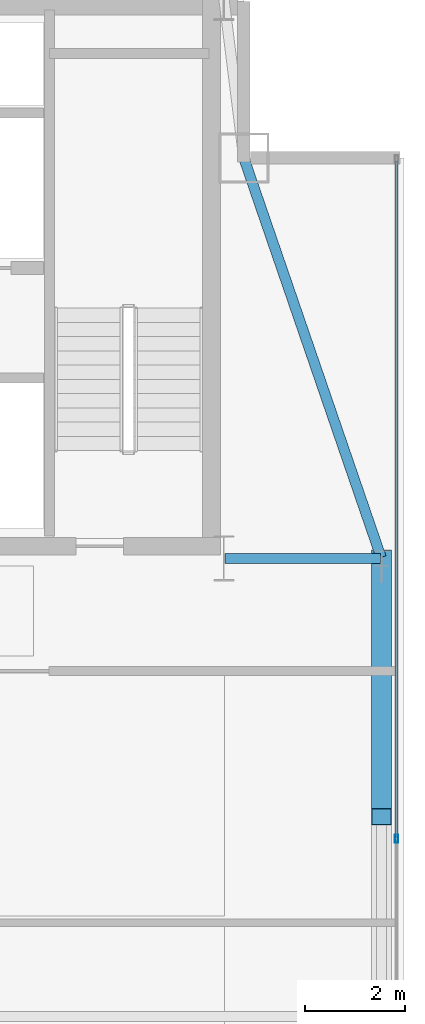
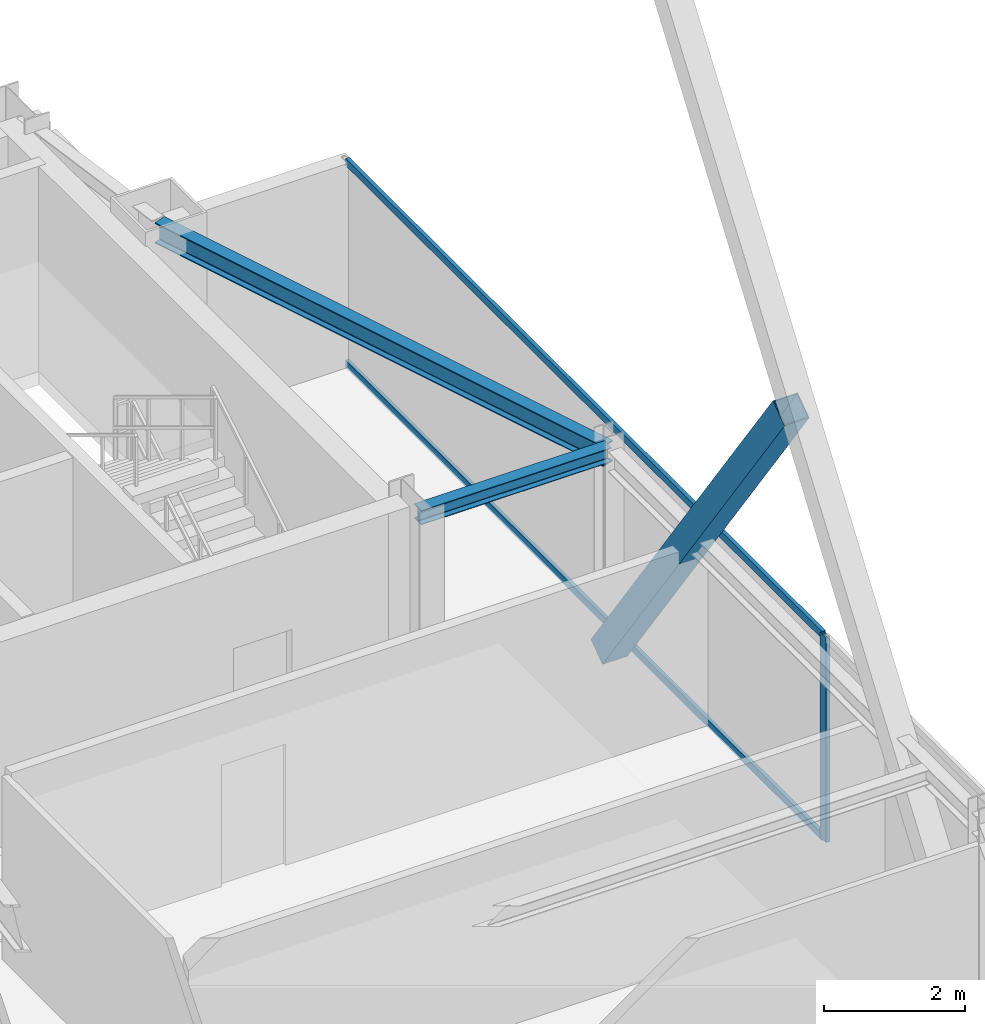
# One storey, part 14 of 25: 4 members, 2 beams, 1 element without a shape of its own.
"""IFC4 building model written with IfcOpenShell, lengths in metres."""

import ifcopenshell
import ifcopenshell.guid

model = None  # the IFC model being written
_history = None  # IfcOwnerHistory: only IFC2X3 demands one
_inside = {}  # id of a spatial element -> (the spatial element, [elements in it])
_under = {}  # id of a project, library or spatial element -> (it, [spatial elements below it])
_declared = {}  # id of a project -> (the project, [libraries it declares])
_typed = {}  # id of a type object -> (the type object, [elements of that type])
_made_of = {}  # id of a material, layer set ... -> (it, [elements and type objects made of it])


def new_model(schema):
    """Start an empty IFC model of exactly this schema.

    Asked for "IFC4X3", IfcOpenShell would pick the latest addendum, in which some entities
    have other attributes; the version numbers below select the first issue.
    IFC2X3 requires an IfcOwnerHistory on every rooted entity: one is made here for all.
    """
    global model, _history
    if schema == "IFC4X3":
        model = ifcopenshell.file(schema_version=(4, 3, 0, 0))
    else:
        model = ifcopenshell.file(schema=schema)
    _inside.clear()
    _under.clear()
    _declared.clear()
    _typed.clear()
    _made_of.clear()
    _history = None
    if model.schema == "IFC2X3":
        org = make("IfcOrganization", Name="unknown")
        user = make(
            "IfcPersonAndOrganization",
            ThePerson=make("IfcPerson", FamilyName="unknown"),
            TheOrganization=org,
        )
        app = make(
            "IfcApplication",
            ApplicationDeveloper=org,
            Version="unknown",
            ApplicationFullName="unknown",
            ApplicationIdentifier="unknown",
        )
        _history = make(
            "IfcOwnerHistory",
            OwningUser=user,
            OwningApplication=app,
            ChangeAction="ADDED",
            CreationDate=0,
        )
    return model


def make(cls, **values):
    """One entity of the class cls with the attributes given. An attribute that is None is left unset."""
    return model.create_entity(
        cls, **{name: value for name, value in values.items() if value is not None}
    )


def rooted(cls, **values):
    """An entity with a GlobalId (a new one), such as an element, a storey or a relation."""
    return make(cls, GlobalId=ifcopenshell.guid.new(), OwnerHistory=_history, **values)


def si_unit(unit_type, name, prefix=None):
    """IfcSIUnit, for example si_unit("LENGTHUNIT", "METRE", prefix="MILLI")."""
    return make("IfcSIUnit", UnitType=unit_type, Prefix=prefix, Name=name)


def assignment(units):
    """IfcUnitAssignment: the units of a project."""
    return None if units is None else make("IfcUnitAssignment", Units=units)


def point(xyz):
    """IfcCartesianPoint."""
    return None if xyz is None else make("IfcCartesianPoint", Coordinates=xyz)


def direction(xyz):
    """IfcDirection."""
    return None if xyz is None else make("IfcDirection", DirectionRatios=xyz)


def frame(location, z_axis=None, x_axis=None):
    """IfcAxis2Placement3D, a coordinate frame: its origin and axes. An axis left out is left unset."""
    return make(
        "IfcAxis2Placement3D",
        Location=point(location),
        Axis=direction(z_axis),
        RefDirection=direction(x_axis),
    )


def frame_2d(location, x_axis=None):
    """IfcAxis2Placement2D, a coordinate frame in the plane: its origin and x axis."""
    return make(
        "IfcAxis2Placement2D", Location=point(location), RefDirection=direction(x_axis)
    )


def origin():
    """The frame at (0, 0, 0) with its axes left unset."""
    return frame((0.0, 0.0, 0.0))


def origin_2d():
    """The frame at (0, 0) in the plane with its x axis left unset."""
    return frame_2d((0.0, 0.0))


def place(relative_to, where):
    """IfcLocalPlacement: puts the frame where relative to a parent placement (None: the world)."""
    return make(
        "IfcLocalPlacement", PlacementRelTo=relative_to, RelativePlacement=where
    )


def context(
    kind, dimensions, precision=None, world=None, true_north=None, identifier=None
):
    """IfcGeometricRepresentationContext, for example the 3D "Model" context."""
    return make(
        "IfcGeometricRepresentationContext",
        ContextIdentifier=identifier,
        ContextType=kind,
        CoordinateSpaceDimension=dimensions,
        Precision=precision,
        WorldCoordinateSystem=world,
        TrueNorth=true_north,
    )


def subcontext(parent, identifier, kind, view, scale=None):
    """IfcGeometricRepresentationSubContext, for example "Body" below "Model"."""
    return make(
        "IfcGeometricRepresentationSubContext",
        ContextIdentifier=identifier,
        ContextType=kind,
        ParentContext=parent,
        TargetScale=scale,
        TargetView=view,
    )


def project(units=None, contexts=None):
    """IfcProject with its units and contexts."""
    return rooted(
        "IfcProject",
        Name="project",
        RepresentationContexts=contexts,
        UnitsInContext=assignment(units),
    )


def spatial(cls, under=None, at=None, **own):
    """A site, building, storey or space (cls), placed at a placement, below another one or the project."""
    s = rooted(cls, ObjectPlacement=at, **own)
    if under is not None:
        _under.setdefault(under.id(), (under, []))[1].append(s)
    return s


def profile(cls, at=None, kind="AREA", **sizes):
    """A parametric profile (cls). Its sizes go by their IFC names, for example OverallWidth=200.0."""
    return make(cls, ProfileType=kind, Position=at, **sizes)


def hollow_rectangle(**sizes):
    """IfcRectangleHollowProfileDef."""
    return profile("IfcRectangleHollowProfileDef", **sizes)


def i_section(**sizes):
    """IfcIShapeProfileDef."""
    return profile("IfcIShapeProfileDef", **sizes)


def extrude(swept, where, along, depth):
    """IfcExtrudedAreaSolid: the profile swept, set in the frame where, extruded along a direction by depth."""
    return make(
        "IfcExtrudedAreaSolid",
        SweptArea=swept,
        Position=where,
        ExtrudedDirection=direction(along),
        Depth=depth,
    )


def shape(context_of_items, identifier, shape_type, items):
    """IfcShapeRepresentation: the items that make up one representation, for example the "Body"."""
    return make(
        "IfcShapeRepresentation",
        ContextOfItems=context_of_items,
        RepresentationIdentifier=identifier,
        RepresentationType=shape_type,
        Items=items,
    )


def source(mapping_origin, context_of_items, identifier, shape_type, items):
    """IfcRepresentationMap: a shape defined once, which mapped items show again and again."""
    return make(
        "IfcRepresentationMap",
        MappingOrigin=mapping_origin,
        MappedRepresentation=shape(context_of_items, identifier, shape_type, items),
    )


def transform(
    local_origin,
    x_axis=None,
    y_axis=None,
    z_axis=None,
    scale=None,
    scale2=None,
    scale3=None,
    uniform=True,
):
    """IfcCartesianTransformationOperator3D, or its non-uniform kind. x_axis, y_axis, z_axis: its Axis1, 2, 3."""
    if uniform:
        return make(
            "IfcCartesianTransformationOperator3D",
            Axis1=direction(x_axis),
            Axis2=direction(y_axis),
            LocalOrigin=point(local_origin),
            Scale=scale,
            Axis3=direction(z_axis),
        )
    return make(
        "IfcCartesianTransformationOperator3DnonUniform",
        Axis1=direction(x_axis),
        Axis2=direction(y_axis),
        LocalOrigin=point(local_origin),
        Scale=scale,
        Axis3=direction(z_axis),
        Scale2=scale2,
        Scale3=scale3,
    )


def mapped(mapping_source, mapping_target):
    """IfcMappedItem: shows the shape of a source again, moved by a transform."""
    return make(
        "IfcMappedItem", MappingSource=mapping_source, MappingTarget=mapping_target
    )


def material(Name=None, Category=None):
    """IfcMaterial."""
    return make("IfcMaterial", Name=Name, Category=Category)


def layer(
    of_material, thickness, ventilated=None, Name=None, Category=None, Priority=None
):
    """IfcMaterialLayer: one layer of a wall or slab, of a material (None: an air gap)."""
    return make(
        "IfcMaterialLayer",
        Material=of_material,
        LayerThickness=thickness,
        IsVentilated=ventilated,
        Name=Name,
        Category=Category,
        Priority=Priority,
    )


def layer_set(layers, Name=None):
    """IfcMaterialLayerSet."""
    return make("IfcMaterialLayerSet", MaterialLayers=layers, LayerSetName=Name)


def material_profile(
    of_material, cross_section, Name=None, Category=None, Priority=None
):
    """IfcMaterialProfile: a cross section and its material."""
    return make(
        "IfcMaterialProfile",
        Name=Name,
        Material=of_material,
        Profile=cross_section,
        Priority=Priority,
        Category=Category,
    )


def profile_set(profiles, Name=None, composite=None):
    """IfcMaterialProfileSet."""
    return make(
        "IfcMaterialProfileSet",
        Name=Name,
        MaterialProfiles=profiles,
        CompositeProfile=composite,
    )


def made_of(thing, what):
    """Note that an element or type object is made of a material, layer set ...; save() writes the relation."""
    if what is not None:
        _made_of.setdefault(what.id(), (what, []))[1].append(thing)
    return thing


def type_object(cls, material=None, **own):
    """A type object (cls), such as IfcWallType, which elements share."""
    return made_of(rooted(cls, **own), material)


def type_shapes(of_type, sources):
    """Give a type object the sources (RepresentationMaps) that its elements show as mapped items."""
    of_type.RepresentationMaps = sources


def element(
    cls,
    number,
    at=None,
    inside=None,
    cuts=None,
    type_object=None,
    material=None,
    context=None,
    identifier="Body",
    shape_type=None,
    held_by="IfcProductDefinitionShape",
    body=None,
    shapes=None,
    **own,
):
    """One element of the class cls, such as IfcWall. Its Tag is "e" and its number.

    at: its placement. inside: the storey or other place that contains it. cuts: it is an
    opening in that element (IfcRelVoidsElement). A single representation is given by context,
    identifier, shape_type and body (its items); several are given by shapes. held_by: the class
    of the entity that holds the representations. save() writes the other relations.
    """
    e = rooted(cls, Tag="e%d" % number, ObjectPlacement=at, **own)
    if body is not None:
        shapes = [shape(context, identifier, shape_type, body)]
    if shapes is not None:
        e.Representation = make(held_by, Representations=shapes)
    if inside is not None:
        _inside.setdefault(inside.id(), (inside, []))[1].append(e)
    if cuts is not None:
        rooted(
            "IfcRelVoidsElement", RelatingBuildingElement=cuts, RelatedOpeningElement=e
        )
    if type_object is not None:
        _typed.setdefault(type_object.id(), (type_object, []))[1].append(e)
    return made_of(e, material)


def aggregate(whole, parts):
    """IfcRelAggregates: a whole, such as a stair, and the parts it consists of."""
    return rooted("IfcRelAggregates", RelatingObject=whole, RelatedObjects=parts)


def save(model, path):
    """Write the relations noted so far, then the file.

    IfcRelAggregates (storeys below a building ...), IfcRelContainedInSpatialStructure (elements
    in a storey), IfcRelDefinesByType, IfcRelAssociatesMaterial and IfcRelDeclares: one each for
    every whole, place, type object, material and project.
    """
    for whole, parts in _under.values():
        aggregate(whole, parts)
    for where, things in _inside.values():
        rooted(
            "IfcRelContainedInSpatialStructure",
            RelatedElements=things,
            RelatingStructure=where,
        )
    for kind, things in _typed.values():
        rooted("IfcRelDefinesByType", RelatedObjects=things, RelatingType=kind)
    for what, things in _made_of.values():
        rooted("IfcRelAssociatesMaterial", RelatedObjects=things, RelatingMaterial=what)
    for by, libraries in _declared.values():
        rooted("IfcRelDeclares", RelatingContext=by, RelatedDefinitions=libraries)
    model.write(path)


model = new_model("IFC4")

# Units and contexts
model_context = context("Model", 3, precision=1e-05, world=origin(), true_north=direction((0.0, 1.0)))
body_context = subcontext(model_context, "Body", "Model", "MODEL_VIEW")
ifc_project = project(units=[si_unit("LENGTHUNIT", "METRE"), si_unit("AREAUNIT", "SQUARE_METRE"), si_unit("VOLUMEUNIT", "CUBIC_METRE"), si_unit("PLANEANGLEUNIT", "RADIAN"), si_unit("MASSUNIT", "GRAM", prefix="KILO")], contexts=[model_context])

# Site, building, storey
site_placement = place(None, origin())
site = spatial("IfcSite", under=ifc_project, at=site_placement, CompositionType="ELEMENT")
building_placement = place(site_placement, origin())
building = spatial("IfcBuilding", under=site, at=building_placement, Name="Varnel Quay Broadcast Tower", CompositionType="ELEMENT")
storey_placement = place(building_placement, frame((0.0, 0.0, 273.60009765625)))
storey = spatial("IfcBuildingStorey", under=building, at=storey_placement, Name="L68", CompositionType="ELEMENT", Elevation=273.60009765625)

# Beams
ifc_material_1 = material(Name="Structural Steel CSA G40.21 350W", Category="steel")
ifc_material_profile_1 = material_profile(ifc_material_1, i_section(OverallWidth=0.205078125, OverallDepth=0.35400390625, WebThickness=0.009521484375, FlangeThickness=0.016845703125, FilletRadius=0.012939453125, at=origin_2d()), Name="W360X79")
ifc_profile_set_1 = profile_set([ifc_material_profile_1], Name="Structural Steel CSA G40.21 350W")
beam_type_1 = type_object("IfcBeamType", Name="Beam_W360X79", PredefinedType="SPANDREL", material=ifc_profile_set_1)
shared_shape_1 = source(origin(), body_context, "Body", "SweptSolid", [
    extrude(i_section(OverallWidth=0.205078125, OverallDepth=0.35400390625, WebThickness=0.009521484375, FlangeThickness=0.016845703125, FilletRadius=0.012939453125, at=origin_2d()), origin(), (0.0, 0.0, 1.0), 8.41943359375),
])
type_shapes(beam_type_1, [shared_shape_1])
beam_1_placement = place(storey_placement, frame((55.54345703125, 35.618896484375, 3.372802734375), z_axis=(-0.325087062108, 0.945684092099, 0.0), x_axis=(-0.945684092099, -0.325087062108, 0.0)))
element("IfcBeam", 1, at=beam_1_placement, inside=storey, type_object=beam_type_1, Name="L68 East Spandrel TC-E2-MC-NE", PredefinedType="SPANDREL", context=body_context, shape_type="MappedRepresentation", body=[
    mapped(shared_shape_1, transform((0.0, 0.0, 0.0), x_axis=(1.0, 0.0, 0.0), y_axis=(0.0, 1.0, 0.0), z_axis=(0.0, 0.0, 1.0), scale=1.0)),
])
ifc_material_profile_2 = material_profile(ifc_material_1, i_section(OverallWidth=0.201904296875, OverallDepth=0.2470703125, WebThickness=0.00732421875, FlangeThickness=0.010986328125, FilletRadius=0.010986328125, at=origin_2d()), Name="W250X49")
ifc_profile_set_2 = profile_set([ifc_material_profile_2], Name="Structural Steel CSA G40.21 350W")
beam_type_2 = type_object("IfcBeamType", Name="Beam_W250X49", PredefinedType="JOIST", material=ifc_profile_set_2)
shared_shape_2 = source(origin(), body_context, "Body", "SweptSolid", [
    extrude(i_section(OverallWidth=0.201904296875, OverallDepth=0.2470703125, WebThickness=0.00732421875, FlangeThickness=0.010986328125, FilletRadius=0.010986328125, at=origin_2d()), origin(), (0.0, 0.0, 1.0), 3.110107421875),
])
type_shapes(beam_type_2, [shared_shape_2])
beam_2_placement = place(storey_placement, frame((52.419921875, 35.60009765625, 3.426513671875), z_axis=(1.0, 0.0, 0.0), x_axis=(0.0, 1.0, 0.0)))
element("IfcBeam", 2, at=beam_2_placement, inside=storey, type_object=beam_type_2, Name="L68 East Core Tie Joist", PredefinedType="JOIST", context=body_context, shape_type="MappedRepresentation", body=[
    mapped(shared_shape_2, transform((0.0, 0.0, 0.0), x_axis=(1.0, 0.0, 0.0), y_axis=(0.0, 1.0, 0.0), z_axis=(0.0, 0.0, 1.0), scale=1.0)),
])

# Member
ifc_material_profile_3 = material_profile(ifc_material_1, hollow_rectangle(XDim=0.406005859375, YDim=0.406005859375, WallThickness=0.01611328125, at=origin_2d()), Name="HSS406X406X16")
ifc_profile_set_3 = profile_set([ifc_material_profile_3], Name="Structural Steel CSA G40.21 350W")
member_type_1 = type_object("IfcMemberType", Name="Brace_HSS406X406X16", PredefinedType="BRACE", material=ifc_profile_set_3)
shared_shape_3 = source(origin(), body_context, "Body", "SweptSolid", [
    extrude(hollow_rectangle(XDim=0.406005859375, YDim=0.406005859375, WallThickness=0.01611328125, at=origin_2d()), origin(), (0.0, 0.0, 1.0), 8.906982421875),
])
type_shapes(member_type_1, [shared_shape_3])
member_1_placement = place(storey_placement, frame((55.550048828125, 35.60009765625, 0.02001953125), z_axis=(0.0, -0.579447729808, 0.815009403884), x_axis=(1.0, 0.0, 0.0)))
element("IfcMember", 3, at=member_1_placement, inside=storey, type_object=member_type_1, Name="Zone 5 Mega-Brace E-FT2 Split Diag B1", PredefinedType="BRACE", context=body_context, shape_type="MappedRepresentation", body=[
    mapped(shared_shape_3, transform((0.0, 0.0, 0.0), x_axis=(1.0, 0.0, 0.0), y_axis=(0.0, 1.0, 0.0), z_axis=(0.0, 0.0, 1.0), scale=1.0)),
])

# Curtain wall, members
ifc_material_2 = material(Name="Anodised Bronze Aluminium 6063-T6", Category="aluminium")
ifc_layer = layer(ifc_material_2, 0.18994140625, Name="Anodised Bronze Aluminium 6063-T6")
ifc_layer_set = layer_set([ifc_layer], Name="Anodised Bronze Aluminium 6063-T6")
curtain_wall_type = type_object("IfcCurtainWallType", Name="CW_UpperTower", PredefinedType="NOTDEFINED", material=ifc_layer_set)
curtain_wall_placement = place(storey_placement, origin())
curtain_wall = element("IfcCurtainWall", 4, at=curtain_wall_placement, inside=storey, type_object=curtain_wall_type, Name="L68 East Unitised Curtain Wall", PredefinedType="NOTDEFINED")
ifc_material_profile_4 = material_profile(ifc_material_2, hollow_rectangle(XDim=0.06494140625, YDim=0.1650390625, WallThickness=0.00341796875, at=origin_2d()), Name="ALU65X165X3.5")
ifc_profile_set_4 = profile_set([ifc_material_profile_4], Name="Anodised Bronze Aluminium 6063-T6")
member_type_2 = type_object("IfcMemberType", Name="Mull_CWS-03", PredefinedType="MULLION", material=ifc_profile_set_4)
shared_shape_4 = source(origin(), body_context, "Body", "SweptSolid", [
    extrude(hollow_rectangle(XDim=0.06494140625, YDim=0.1650390625, WallThickness=0.00341796875, at=origin_2d()), origin(), (0.0, 0.0, 1.0), 3.5498046875),
])
type_shapes(member_type_2, [shared_shape_4])
member_2_placement = place(storey_placement, frame((55.85009765625, 30.0, 0.0), z_axis=(0.0, 0.0, 1.0), x_axis=(-1.0, 0.0, 0.0)))
member_2 = element("IfcMember", 5, at=member_2_placement, type_object=member_type_2, Name="CWS-03 mullion 2", PredefinedType="MULLION", context=body_context, shape_type="MappedRepresentation", body=[
    mapped(shared_shape_4, transform((0.0, 0.0, 0.0), x_axis=(1.0, 0.0, 0.0), y_axis=(0.0, 1.0, 0.0), z_axis=(0.0, 0.0, 1.0), scale=1.0)),
])
ifc_material_profile_5 = material_profile(ifc_material_2, hollow_rectangle(XDim=0.06005859375, YDim=0.125, WallThickness=0.0029296875, at=origin_2d()), Name="ALU60X125X3")
ifc_profile_set_5 = profile_set([ifc_material_profile_5], Name="Anodised Bronze Aluminium 6063-T6")
member_type_3 = type_object("IfcMemberType", Name="Tran_CWS-03", PredefinedType="USERDEFINED", material=ifc_profile_set_5)
shared_shape_5 = source(origin(), body_context, "Body", "SweptSolid", [
    extrude(hollow_rectangle(XDim=0.06005859375, YDim=0.125, WallThickness=0.0029296875, at=origin_2d()), origin(), (0.0, 0.0, 1.0), 13.50244140625),
])
type_shapes(member_type_3, [shared_shape_5])
member_3_placement = place(storey_placement, frame((55.85009765625, 30.032470703125, 0.02978515625), z_axis=(0.0, 1.0, 0.0), x_axis=(-1.0, 0.0, 0.0)))
member_3 = element("IfcMember", 6, at=member_3_placement, type_object=member_type_3, Name="CWS-03 transom 2.1", ObjectType="TRANSOM", PredefinedType="USERDEFINED", context=body_context, shape_type="MappedRepresentation", body=[
    mapped(shared_shape_5, transform((0.0, 0.0, 0.0), x_axis=(1.0, 0.0, 0.0), y_axis=(0.0, 1.0, 0.0), z_axis=(0.0, 0.0, 1.0), scale=1.0)),
])
member_4_placement = place(storey_placement, frame((55.85009765625, 30.032470703125, 3.52001953125), z_axis=(0.0, 1.0, 0.0), x_axis=(-1.0, 0.0, 0.0)))
member_4 = element("IfcMember", 7, at=member_4_placement, type_object=member_type_3, Name="CWS-03 transom 2.2", ObjectType="TRANSOM", PredefinedType="USERDEFINED", context=body_context, shape_type="MappedRepresentation", body=[
    mapped(shared_shape_5, transform((0.0, 0.0, 0.0), x_axis=(1.0, 0.0, 0.0), y_axis=(0.0, 1.0, 0.0), z_axis=(0.0, 0.0, 1.0), scale=1.0)),
])
aggregate(curtain_wall, [member_2, member_3, member_4])

save(model, "model.ifc")
